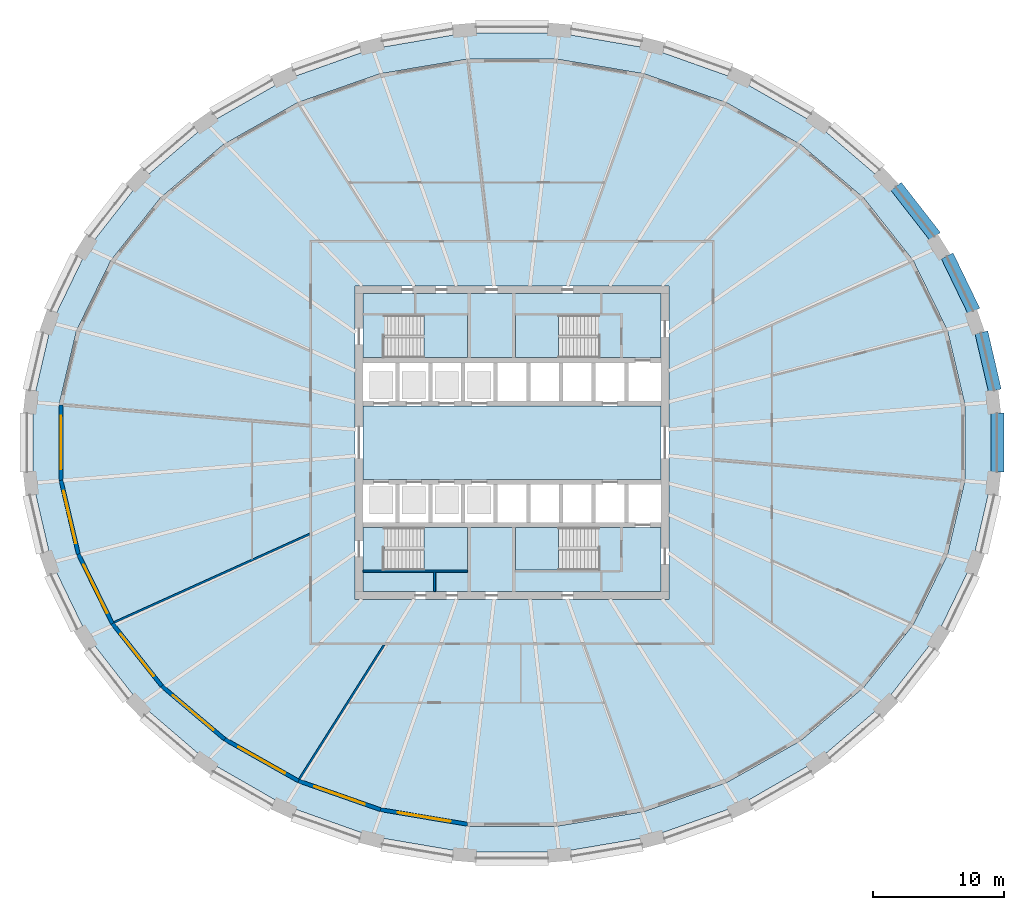
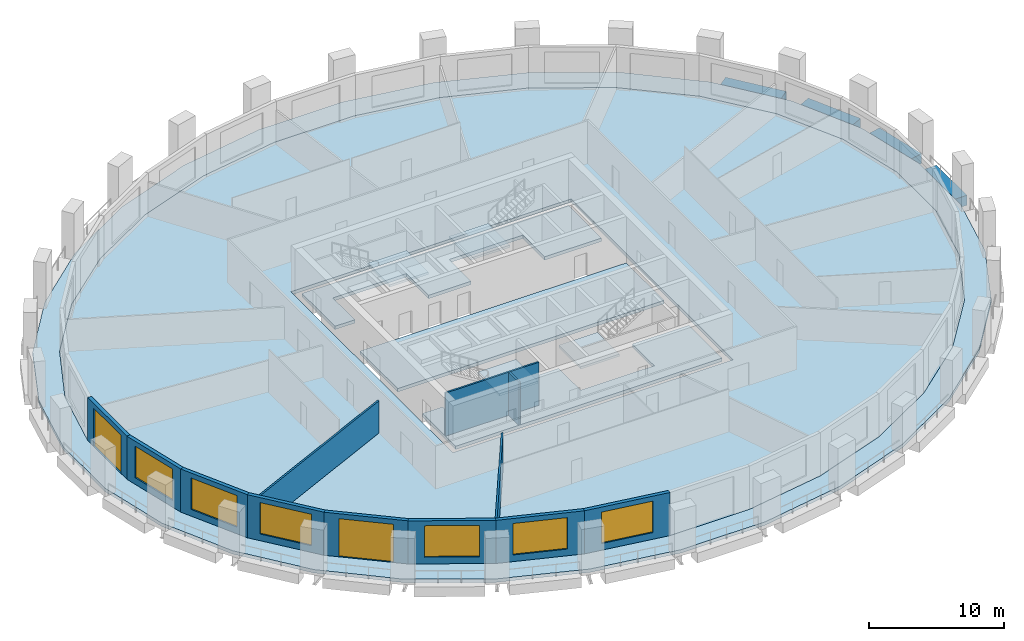
# One storey, part 2 of 10: 12 walls, 9 slabs, 6 windows, 4 beams, 2 doors, 8 openings, 4 elements without a shape of their own.
"""IFC4 building model written with IfcOpenShell, lengths in metres."""

import ifcopenshell
import ifcopenshell.guid

model = None  # the IFC model being written
_history = None  # IfcOwnerHistory: only IFC2X3 demands one
_inside = {}  # id of a spatial element -> (the spatial element, [elements in it])
_under = {}  # id of a project, library or spatial element -> (it, [spatial elements below it])
_declared = {}  # id of a project -> (the project, [libraries it declares])
_typed = {}  # id of a type object -> (the type object, [elements of that type])
_made_of = {}  # id of a material, layer set ... -> (it, [elements and type objects made of it])


def new_model(schema):
    """Start an empty IFC model of exactly this schema.

    Asked for "IFC4X3", IfcOpenShell would pick the latest addendum, in which some entities
    have other attributes; the version numbers below select the first issue.
    IFC2X3 requires an IfcOwnerHistory on every rooted entity: one is made here for all.
    """
    global model, _history
    if schema == "IFC4X3":
        model = ifcopenshell.file(schema_version=(4, 3, 0, 0))
    else:
        model = ifcopenshell.file(schema=schema)
    _inside.clear()
    _under.clear()
    _declared.clear()
    _typed.clear()
    _made_of.clear()
    _history = None
    if model.schema == "IFC2X3":
        org = make("IfcOrganization", Name="unknown")
        user = make(
            "IfcPersonAndOrganization",
            ThePerson=make("IfcPerson", FamilyName="unknown"),
            TheOrganization=org,
        )
        app = make(
            "IfcApplication",
            ApplicationDeveloper=org,
            Version="unknown",
            ApplicationFullName="unknown",
            ApplicationIdentifier="unknown",
        )
        _history = make(
            "IfcOwnerHistory",
            OwningUser=user,
            OwningApplication=app,
            ChangeAction="ADDED",
            CreationDate=0,
        )
    return model


def make(cls, **values):
    """One entity of the class cls with the attributes given. An attribute that is None is left unset."""
    return model.create_entity(
        cls, **{name: value for name, value in values.items() if value is not None}
    )


def rooted(cls, **values):
    """An entity with a GlobalId (a new one), such as an element, a storey or a relation."""
    return make(cls, GlobalId=ifcopenshell.guid.new(), OwnerHistory=_history, **values)


def si_unit(unit_type, name, prefix=None):
    """IfcSIUnit, for example si_unit("LENGTHUNIT", "METRE", prefix="MILLI")."""
    return make("IfcSIUnit", UnitType=unit_type, Prefix=prefix, Name=name)


def assignment(units):
    """IfcUnitAssignment: the units of a project."""
    return None if units is None else make("IfcUnitAssignment", Units=units)


def point(xyz):
    """IfcCartesianPoint."""
    return None if xyz is None else make("IfcCartesianPoint", Coordinates=xyz)


def direction(xyz):
    """IfcDirection."""
    return None if xyz is None else make("IfcDirection", DirectionRatios=xyz)


def frame(location, z_axis=None, x_axis=None):
    """IfcAxis2Placement3D, a coordinate frame: its origin and axes. An axis left out is left unset."""
    return make(
        "IfcAxis2Placement3D",
        Location=point(location),
        Axis=direction(z_axis),
        RefDirection=direction(x_axis),
    )


def frame_2d(location, x_axis=None):
    """IfcAxis2Placement2D, a coordinate frame in the plane: its origin and x axis."""
    return make(
        "IfcAxis2Placement2D", Location=point(location), RefDirection=direction(x_axis)
    )


def origin():
    """The frame at (0, 0, 0) with its axes left unset."""
    return frame((0.0, 0.0, 0.0))


def origin_2d():
    """The frame at (0, 0) in the plane with its x axis left unset."""
    return frame_2d((0.0, 0.0))


def place(relative_to, where):
    """IfcLocalPlacement: puts the frame where relative to a parent placement (None: the world)."""
    return make(
        "IfcLocalPlacement", PlacementRelTo=relative_to, RelativePlacement=where
    )


def context(
    kind, dimensions, precision=None, world=None, true_north=None, identifier=None
):
    """IfcGeometricRepresentationContext, for example the 3D "Model" context."""
    return make(
        "IfcGeometricRepresentationContext",
        ContextIdentifier=identifier,
        ContextType=kind,
        CoordinateSpaceDimension=dimensions,
        Precision=precision,
        WorldCoordinateSystem=world,
        TrueNorth=true_north,
    )


def subcontext(parent, identifier, kind, view, scale=None):
    """IfcGeometricRepresentationSubContext, for example "Body" below "Model"."""
    return make(
        "IfcGeometricRepresentationSubContext",
        ContextIdentifier=identifier,
        ContextType=kind,
        ParentContext=parent,
        TargetScale=scale,
        TargetView=view,
    )


def project(units=None, contexts=None):
    """IfcProject with its units and contexts."""
    return rooted(
        "IfcProject",
        Name="project",
        RepresentationContexts=contexts,
        UnitsInContext=assignment(units),
    )


def spatial(cls, under=None, at=None, **own):
    """A site, building, storey or space (cls), placed at a placement, below another one or the project."""
    s = rooted(cls, ObjectPlacement=at, **own)
    if under is not None:
        _under.setdefault(under.id(), (under, []))[1].append(s)
    return s


def polyline(points):
    """IfcPolyline through the points."""
    return make("IfcPolyline", Points=[point(p) for p in points])


def profile(cls, at=None, kind="AREA", **sizes):
    """A parametric profile (cls). Its sizes go by their IFC names, for example OverallWidth=200.0."""
    return make(cls, ProfileType=kind, Position=at, **sizes)


def rectangle(**sizes):
    """IfcRectangleProfileDef."""
    return profile("IfcRectangleProfileDef", **sizes)


def outline(outer, holes=None, kind="AREA"):
    """IfcArbitraryClosedProfileDef: a profile drawn as a closed curve; with holes, ...WithVoids."""
    if holes is None:
        return make("IfcArbitraryClosedProfileDef", ProfileType=kind, OuterCurve=outer)
    return make(
        "IfcArbitraryProfileDefWithVoids",
        ProfileType=kind,
        OuterCurve=outer,
        InnerCurves=holes,
    )


def extrude(swept, where, along, depth):
    """IfcExtrudedAreaSolid: the profile swept, set in the frame where, extruded along a direction by depth."""
    return make(
        "IfcExtrudedAreaSolid",
        SweptArea=swept,
        Position=where,
        ExtrudedDirection=direction(along),
        Depth=depth,
    )


def shape(context_of_items, identifier, shape_type, items):
    """IfcShapeRepresentation: the items that make up one representation, for example the "Body"."""
    return make(
        "IfcShapeRepresentation",
        ContextOfItems=context_of_items,
        RepresentationIdentifier=identifier,
        RepresentationType=shape_type,
        Items=items,
    )


def material(Name=None, Category=None):
    """IfcMaterial."""
    return make("IfcMaterial", Name=Name, Category=Category)


def layer(
    of_material, thickness, ventilated=None, Name=None, Category=None, Priority=None
):
    """IfcMaterialLayer: one layer of a wall or slab, of a material (None: an air gap)."""
    return make(
        "IfcMaterialLayer",
        Material=of_material,
        LayerThickness=thickness,
        IsVentilated=ventilated,
        Name=Name,
        Category=Category,
        Priority=Priority,
    )


def layer_set(layers, Name=None):
    """IfcMaterialLayerSet."""
    return make("IfcMaterialLayerSet", MaterialLayers=layers, LayerSetName=Name)


def material_profile(
    of_material, cross_section, Name=None, Category=None, Priority=None
):
    """IfcMaterialProfile: a cross section and its material."""
    return make(
        "IfcMaterialProfile",
        Name=Name,
        Material=of_material,
        Profile=cross_section,
        Priority=Priority,
        Category=Category,
    )


def profile_set(profiles, Name=None, composite=None):
    """IfcMaterialProfileSet."""
    return make(
        "IfcMaterialProfileSet",
        Name=Name,
        MaterialProfiles=profiles,
        CompositeProfile=composite,
    )


def made_of(thing, what):
    """Note that an element or type object is made of a material, layer set ...; save() writes the relation."""
    if what is not None:
        _made_of.setdefault(what.id(), (what, []))[1].append(thing)
    return thing


def type_object(cls, material=None, **own):
    """A type object (cls), such as IfcWallType, which elements share."""
    return made_of(rooted(cls, **own), material)


def element(
    cls,
    number,
    at=None,
    inside=None,
    cuts=None,
    type_object=None,
    material=None,
    context=None,
    identifier="Body",
    shape_type=None,
    held_by="IfcProductDefinitionShape",
    body=None,
    shapes=None,
    **own,
):
    """One element of the class cls, such as IfcWall. Its Tag is "e" and its number.

    at: its placement. inside: the storey or other place that contains it. cuts: it is an
    opening in that element (IfcRelVoidsElement). A single representation is given by context,
    identifier, shape_type and body (its items); several are given by shapes. held_by: the class
    of the entity that holds the representations. save() writes the other relations.
    """
    e = rooted(cls, Tag="e%d" % number, ObjectPlacement=at, **own)
    if body is not None:
        shapes = [shape(context, identifier, shape_type, body)]
    if shapes is not None:
        e.Representation = make(held_by, Representations=shapes)
    if inside is not None:
        _inside.setdefault(inside.id(), (inside, []))[1].append(e)
    if cuts is not None:
        rooted(
            "IfcRelVoidsElement", RelatingBuildingElement=cuts, RelatedOpeningElement=e
        )
    if type_object is not None:
        _typed.setdefault(type_object.id(), (type_object, []))[1].append(e)
    return made_of(e, material)


def fill(opening, filler):
    """IfcRelFillsElement: the door or window that sits in an opening."""
    return rooted(
        "IfcRelFillsElement",
        RelatingOpeningElement=opening,
        RelatedBuildingElement=filler,
    )


def aggregate(whole, parts):
    """IfcRelAggregates: a whole, such as a stair, and the parts it consists of."""
    return rooted("IfcRelAggregates", RelatingObject=whole, RelatedObjects=parts)


def save(model, path):
    """Write the relations noted so far, then the file.

    IfcRelAggregates (storeys below a building ...), IfcRelContainedInSpatialStructure (elements
    in a storey), IfcRelDefinesByType, IfcRelAssociatesMaterial and IfcRelDeclares: one each for
    every whole, place, type object, material and project.
    """
    for whole, parts in _under.values():
        aggregate(whole, parts)
    for where, things in _inside.values():
        rooted(
            "IfcRelContainedInSpatialStructure",
            RelatedElements=things,
            RelatingStructure=where,
        )
    for kind, things in _typed.values():
        rooted("IfcRelDefinesByType", RelatedObjects=things, RelatingType=kind)
    for what, things in _made_of.values():
        rooted("IfcRelAssociatesMaterial", RelatedObjects=things, RelatingMaterial=what)
    for by, libraries in _declared.values():
        rooted("IfcRelDeclares", RelatingContext=by, RelatedDefinitions=libraries)
    model.write(path)


model = new_model("IFC4")

# Units and contexts
model_context = context("Model", 3, precision=1e-05, world=origin(), true_north=direction((0.0, 1.0)))
body_context = subcontext(model_context, "Body", "Model", "MODEL_VIEW")
ifc_project = project(units=[si_unit("LENGTHUNIT", "METRE"), si_unit("AREAUNIT", "SQUARE_METRE"), si_unit("VOLUMEUNIT", "CUBIC_METRE"), si_unit("PLANEANGLEUNIT", "RADIAN"), si_unit("MASSUNIT", "GRAM", prefix="KILO")], contexts=[model_context])

# Site, building, storey
site_placement = place(None, origin())
site = spatial("IfcSite", under=ifc_project, at=site_placement, CompositionType="ELEMENT")
building_placement = place(site_placement, origin())
building = spatial("IfcBuilding", under=site, at=building_placement, Name="Halqa Exchange Tower", CompositionType="ELEMENT")
storey_placement = place(building_placement, frame((0.0, 0.0, 57.10009765625)))
storey = spatial("IfcBuildingStorey", under=building, at=storey_placement, Name="L12", CompositionType="ELEMENT", Elevation=57.10009765625)

# Beams
ifc_material_1 = material(Name="Concrete C60/75", Category="concrete")
ifc_material_profile = material_profile(ifc_material_1, rectangle(XDim=1.0, YDim=0.89990234375, at=origin_2d()), Name="1000 x 900")
ifc_profile_set = profile_set([ifc_material_profile], Name="Concrete C60/75")
beam_type = type_object("IfcBeamType", Name="RC spandrel beam 1000 x 900 C60/75", PredefinedType="SPANDREL", material=ifc_profile_set)
beam_1_placement = place(storey_placement, frame((36.9375, 3.99072265625, -0.4501953125), z_axis=(-0.226037111301, 0.974118691082, 0.0), x_axis=(-0.974118691082, -0.226037111301, 0.0)))
element("IfcBeam", 1, at=beam_1_placement, inside=storey, type_object=beam_type, Name="Spandrel 1", PredefinedType="SPANDREL", context=body_context, shape_type="SweptSolid", body=[
    extrude(rectangle(XDim=1.0, YDim=0.89990234375, at=origin_2d()), origin(), (0.0, 0.0, 1.0), 4.556884765625),
])
beam_2_placement = place(storey_placement, frame((35.327392578125, 10.074462890625, -0.4501953125), z_axis=(-0.43512988636, 0.900367692666, 0.0), x_axis=(-0.900367692666, -0.43512988636, 0.0)))
element("IfcBeam", 2, at=beam_2_placement, inside=storey, type_object=beam_type, Name="Spandrel 2", PredefinedType="SPANDREL", context=body_context, shape_type="SweptSolid", body=[
    extrude(rectangle(XDim=1.0, YDim=0.89990234375, at=origin_2d()), origin(), (0.0, 0.0, 1.0), 4.6787109375),
])
beam_3_placement = place(storey_placement, frame((32.37060546875, 15.76904296875, -0.4501953125), z_axis=(-0.614803063133, 0.788680666406, 0.0), x_axis=(-0.788680666406, -0.614803063133, 0.0)))
element("IfcBeam", 3, at=beam_3_placement, inside=storey, type_object=beam_type, Name="Spandrel 3", PredefinedType="SPANDREL", context=body_context, shape_type="SweptSolid", body=[
    extrude(rectangle(XDim=1.0, YDim=0.89990234375, at=origin_2d()), origin(), (0.0, 0.0, 1.0), 4.858154296875),
])
beam_4_placement = place(storey_placement, frame((37.135986328125, -2.25634765625, -0.4501953125), z_axis=(0.0, 1.0, 0.0), x_axis=(-1.0, 0.0, 0.0)))
element("IfcBeam", 4, at=beam_4_placement, inside=storey, type_object=beam_type, Name="Spandrel 32", PredefinedType="SPANDREL", context=body_context, shape_type="SweptSolid", body=[
    extrude(rectangle(XDim=1.0, YDim=0.89990234375, at=origin_2d()), origin(), (0.0, 0.0, 1.0), 4.5126953125),
])

# Slabs
ifc_layer_1 = layer(ifc_material_1, 0.300048828125)
ifc_layer_set_1 = layer_set([ifc_layer_1], Name="Concrete C60/75")
slab_type_1 = type_object("IfcSlabType", Name="Core floor slab 300", PredefinedType="FLOOR", material=ifc_layer_set_1)
slab_1_placement = place(storey_placement, frame((0.0, 0.0, -0.300048828125)))
element("IfcSlab", 5, at=slab_1_placement, inside=storey, type_object=slab_type_1, Name="Core floor slab", PredefinedType="FLOOR", context=body_context, shape_type="SweptSolid", body=[
    extrude(outline(polyline([(-11.39990234375, 2.800048828125), (11.39990234375, 2.800048828125), (11.39990234375, -2.800048828125), (-11.39990234375, -2.800048828125), (-11.39990234375, 2.800048828125)])), origin(), (0.0, 0.0, 1.0), 0.300048828125),
])
slab_2_placement = place(storey_placement, frame((0.0, 0.0, -0.300048828125)))
element("IfcSlab", 6, at=slab_2_placement, inside=storey, type_object=slab_type_1, Name="Core floor slab", PredefinedType="FLOOR", context=body_context, shape_type="SweptSolid", body=[
    extrude(outline(polyline([(-11.39990234375, 11.39990234375), (11.39990234375, 11.39990234375), (11.39990234375, 6.5), (6.550048828125, 6.5), (6.550048828125, 9.75), (0.25, 9.75), (0.25, 6.5), (-3.39990234375, 6.5), (-3.39990234375, 9.75), (-9.699951171875, 9.75), (-9.699951171875, 6.5), (-11.39990234375, 6.5), (-11.39990234375, 11.39990234375)])), origin(), (0.0, 0.0, 1.0), 0.300048828125),
])
slab_3_placement = place(storey_placement, frame((0.0, 0.0, -0.300048828125)))
element("IfcSlab", 7, at=slab_3_placement, inside=storey, type_object=slab_type_1, Name="Core floor slab", PredefinedType="FLOOR", context=body_context, shape_type="SweptSolid", body=[
    extrude(outline(polyline([(-9.699951171875, -9.75), (-3.39990234375, -9.75), (-3.39990234375, -6.5), (0.25, -6.5), (0.25, -9.75), (6.550048828125, -9.75), (6.550048828125, -6.5), (11.39990234375, -6.5), (11.39990234375, -11.39990234375), (-11.39990234375, -11.39990234375), (-11.39990234375, -6.5), (-9.699951171875, -6.5), (-9.699951171875, -9.75)])), origin(), (0.0, 0.0, 1.0), 0.300048828125),
])
ifc_material_2 = material(Name="Concrete C40/50", Category="concrete")
ifc_layer_2 = layer(ifc_material_2, 0.300048828125)
ifc_layer_set_2 = layer_set([ifc_layer_2], Name="Concrete C40/50")
slab_type_2 = type_object("IfcSlabType", Name="RC floor slab 300", PredefinedType="FLOOR", material=ifc_layer_set_2)
slab_4_placement = place(storey_placement, frame((0.0, 0.0, -0.300048828125)))
element("IfcSlab", 8, at=slab_4_placement, inside=storey, type_object=slab_type_2, Name="Floor slab", PredefinedType="FLOOR", context=body_context, shape_type="SweptSolid", body=[
    extrude(outline(polyline([(34.649658203125, 2.8955078125), (33.31396484375, 8.573486328125), (30.695556640625, 13.91845703125), (26.897705078125, 18.724365234375), (22.068603515625, 22.8076171875), (16.39501953125, 26.01318359375), (10.094482421875, 28.219970703125), (3.408203125, 29.344482421875), (-3.408203125, 29.344482421875), (-10.094482421875, 28.219970703125), (-16.39501953125, 26.01318359375), (-22.068603515625, 22.8076171875), (-26.897705078125, 18.724365234375), (-30.695556640625, 13.91845703125), (-33.31396484375, 8.573486328125), (-34.649658203125, 2.8955078125), (-34.649658203125, -2.8955078125), (-33.31396484375, -8.573486328125), (-30.695556640625, -13.91845703125), (-26.897705078125, -18.724365234375), (-22.068603515625, -22.8076171875), (-16.39501953125, -26.01318359375), (-10.094482421875, -28.219970703125), (-3.408203125, -29.344482421875), (3.408203125, -29.344482421875), (10.094482421875, -28.219970703125), (16.39501953125, -26.01318359375), (22.068603515625, -22.8076171875), (26.897705078125, -18.724365234375), (30.695556640625, -13.91845703125), (33.31396484375, -8.573486328125), (34.649658203125, -2.8955078125), (34.649658203125, 2.8955078125)]), holes=[polyline([(-12.0, -12.0), (12.0, -12.0), (12.0, 12.0), (-12.0, 12.0), (-12.0, -12.0)])]), origin(), (0.0, 0.0, 1.0), 0.300048828125),
])
ifc_layer_3 = layer(ifc_material_2, 0.300048828125)
ifc_layer_set_3 = layer_set([ifc_layer_3], Name="Concrete C40/50")
slab_type_3 = type_object("IfcSlabType", Name="RC loggia slab 300", PredefinedType="FLOOR", material=ifc_layer_set_3)
slab_5_placement = place(storey_placement, frame((0.0, 0.0, -0.300048828125)))
element("IfcSlab", 9, at=slab_5_placement, inside=storey, type_object=slab_type_3, Name="Loggia slab", PredefinedType="FLOOR", context=body_context, shape_type="SweptSolid", body=[
    extrude(outline(polyline([(36.635986328125, 3.077880859375), (36.635986328125, -3.077880859375), (35.234619140625, -9.117431640625), (32.482666015625, -14.812255859375), (28.48193359375, -19.944091796875), (23.38330078125, -24.314208984375), (17.380859375, -27.752197265625), (10.70556640625, -30.1220703125), (3.615234375, -31.3310546875), (-3.615234375, -31.3310546875), (-10.70556640625, -30.1220703125), (-17.380859375, -27.752197265625), (-23.38330078125, -24.314208984375), (-28.48193359375, -19.944091796875), (-32.482666015625, -14.812255859375), (-35.234619140625, -9.117431640625), (-36.635986328125, -3.077880859375), (-36.635986328125, 3.077880859375), (-35.234619140625, 9.117431640625), (-32.482666015625, 14.812255859375), (-28.48193359375, 19.944091796875), (-23.38330078125, 24.314208984375), (-17.380859375, 27.752197265625), (-10.70556640625, 30.1220703125), (-3.615234375, 31.3310546875), (3.615234375, 31.3310546875), (10.70556640625, 30.1220703125), (17.380859375, 27.752197265625), (23.38330078125, 24.314208984375), (28.48193359375, 19.944091796875), (32.482666015625, 14.812255859375), (35.234619140625, 9.117431640625), (36.635986328125, 3.077880859375)]), holes=[polyline([(34.649658203125, 2.8955078125), (33.31396484375, 8.573486328125), (30.695556640625, 13.91845703125), (26.897705078125, 18.724365234375), (22.068603515625, 22.8076171875), (16.39501953125, 26.01318359375), (10.094482421875, 28.219970703125), (3.408203125, 29.344482421875), (-3.408203125, 29.344482421875), (-10.094482421875, 28.219970703125), (-16.39501953125, 26.01318359375), (-22.068603515625, 22.8076171875), (-26.897705078125, 18.724365234375), (-30.695556640625, 13.91845703125), (-33.31396484375, 8.573486328125), (-34.649658203125, 2.8955078125), (-34.649658203125, -2.8955078125), (-33.31396484375, -8.573486328125), (-30.695556640625, -13.91845703125), (-26.897705078125, -18.724365234375), (-22.068603515625, -22.8076171875), (-16.39501953125, -26.01318359375), (-10.094482421875, -28.219970703125), (-3.408203125, -29.344482421875), (3.408203125, -29.344482421875), (10.094482421875, -28.219970703125), (16.39501953125, -26.01318359375), (22.068603515625, -22.8076171875), (26.897705078125, -18.724365234375), (30.695556640625, -13.91845703125), (33.31396484375, -8.573486328125), (34.649658203125, -2.8955078125), (34.649658203125, 2.8955078125)])]), origin(), (0.0, 0.0, 1.0), 0.300048828125),
])

# Stair, slab
ifc_material_3 = material(Name="Concrete C30/37", Category="concrete")
stair_type = type_object("IfcStairType", Name="Exit stair 1500 wide", PredefinedType="HALF_TURN_STAIR", material=ifc_material_3)
stair_1_placement = place(storey_placement, origin())
stair_1 = element("IfcStair", 10, at=stair_1_placement, inside=storey, type_object=stair_type, Name="Exit stair ST1", PredefinedType="HALF_TURN_STAIR")
ifc_layer_4 = layer(ifc_material_3, 0.199951171875)
ifc_layer_set_4 = layer_set([ifc_layer_4], Name="Concrete C30/37")
slab_type_4 = type_object("IfcSlabType", Name="Stair landing 200 slab", PredefinedType="LANDING", material=ifc_layer_set_4)
slab_6_placement = place(storey_placement, frame((0.0, 0.0, 1.89990234375)))
slab_6 = element("IfcSlab", 11, at=slab_6_placement, type_object=slab_type_4, Name="ST1 landing 1", PredefinedType="LANDING", context=body_context, shape_type="SweptSolid", body=[
    extrude(outline(polyline([(-6.719970703125, 6.5), (-3.39990234375, 6.5), (-3.39990234375, 9.75), (-6.719970703125, 9.75), (-6.719970703125, 6.5)])), origin(), (0.0, 0.0, 1.0), 0.199951171875),
])
aggregate(stair_1, [slab_6])

stair_2_placement = place(storey_placement, origin())
stair_2 = element("IfcStair", 12, at=stair_2_placement, inside=storey, type_object=stair_type, Name="Exit stair ST2", PredefinedType="HALF_TURN_STAIR")
slab_7_placement = place(storey_placement, frame((0.0, 0.0, 1.89990234375)))
slab_7 = element("IfcSlab", 13, at=slab_7_placement, type_object=slab_type_4, Name="ST2 landing 1", PredefinedType="LANDING", context=body_context, shape_type="SweptSolid", body=[
    extrude(outline(polyline([(0.25, 6.5), (3.570068359375, 6.5), (3.570068359375, 9.75), (0.25, 9.75), (0.25, 6.5)])), origin(), (0.0, 0.0, 1.0), 0.199951171875),
])
aggregate(stair_2, [slab_7])

stair_3_placement = place(storey_placement, origin())
stair_3 = element("IfcStair", 14, at=stair_3_placement, inside=storey, type_object=stair_type, Name="Exit stair ST3", PredefinedType="HALF_TURN_STAIR")
slab_8_placement = place(storey_placement, frame((0.0, 0.0, 1.89990234375)))
slab_8 = element("IfcSlab", 15, at=slab_8_placement, type_object=slab_type_4, Name="ST3 landing 1", PredefinedType="LANDING", context=body_context, shape_type="SweptSolid", body=[
    extrude(outline(polyline([(-6.719970703125, -9.75), (-3.39990234375, -9.75), (-3.39990234375, -6.5), (-6.719970703125, -6.5), (-6.719970703125, -9.75)])), origin(), (0.0, 0.0, 1.0), 0.199951171875),
])
aggregate(stair_3, [slab_8])

stair_4_placement = place(storey_placement, origin())
stair_4 = element("IfcStair", 16, at=stair_4_placement, inside=storey, type_object=stair_type, Name="Exit stair ST4", PredefinedType="HALF_TURN_STAIR")
slab_9_placement = place(storey_placement, frame((0.0, 0.0, 1.89990234375)))
slab_9 = element("IfcSlab", 17, at=slab_9_placement, type_object=slab_type_4, Name="ST4 landing 1", PredefinedType="LANDING", context=body_context, shape_type="SweptSolid", body=[
    extrude(outline(polyline([(0.25, -9.75), (3.570068359375, -9.75), (3.570068359375, -6.5), (0.25, -6.5), (0.25, -9.75)])), origin(), (0.0, 0.0, 1.0), 0.199951171875),
])
aggregate(stair_4, [slab_9])

# Walls
ifc_material_4 = material(Name="Fire-rated gypsum board")
ifc_layer_5 = layer(ifc_material_4, 0.14990234375)
ifc_layer_set_5 = layer_set([ifc_layer_5], Name="Fire-rated gypsum board")
wall_type_1 = type_object("IfcWallType", Name="Fire partition EI 60 150", PredefinedType="PARTITIONING", material=ifc_layer_set_5)
wall_1_placement = place(storey_placement, frame((-30.443603515625, -13.755126953125, 0.0), z_axis=(0.0, 0.0, 1.0), x_axis=(0.911343853748, 0.411645940385, 0.0)))
element("IfcWall", 18, at=wall_1_placement, inside=storey, type_object=wall_type_1, Name="L12-PWL-002", PredefinedType="PARTITIONING", context=body_context, shape_type="SweptSolid", body=[
    extrude(outline(polyline([(0.019775390625, -0.074951171875), (1.8388671875, -0.074951171875), (3.65771484375, -0.074951171875), (5.476806640625, -0.074951171875), (7.2958984375, -0.074951171875), (9.11474609375, -0.074951171875), (10.933837890625, -0.074951171875), (12.7529296875, -0.074951171875), (14.57177734375, -0.074951171875), (16.390869140625, -0.074951171875), (16.442138671875, 0.038330078125), (16.442138671875, 0.038330078125), (16.45849609375, 0.074951171875), (14.8583984375, 0.074951171875), (13.25830078125, 0.074951171875), (11.657958984375, 0.074951171875), (11.6572265625, 0.072998046875), (11.65283203125, 0.074951171875), (9.710693359375, 0.074951171875), (7.7685546875, 0.074951171875), (5.826416015625, 0.074951171875), (3.88427734375, 0.074951171875), (1.942138671875, 0.074951171875), (0.0, 0.074951171875), (0.0, 0.06201171875), (0.001953125, -0.003662109375), (0.019775390625, -0.074951171875)])), origin(), (0.0, 0.0, 1.0), 2.909912109375),
])
wall_2_placement = place(storey_placement, frame((-16.27294921875, -25.74169921875, 0.0), z_axis=(0.0, 0.0, 1.0), x_axis=(0.534654841392, 0.845070529942, 0.0)))
element("IfcWall", 19, at=wall_2_placement, inside=storey, type_object=wall_type_1, Name="L12-PWL-004", PredefinedType="PARTITIONING", context=body_context, shape_type="SweptSolid", body=[
    extrude(outline(polyline([(0.020751953125, -0.074951171875), (1.768798828125, -0.074951171875), (3.516845703125, -0.074951171875), (5.26513671875, -0.074951171875), (7.01318359375, -0.074951171875), (7.017578125, -0.072265625), (7.019287109375, -0.074951171875), (8.744873046875, -0.074951171875), (10.470703125, -0.074951171875), (12.1962890625, -0.074951171875), (12.1962890625, -0.074951171875), (12.1015625, 0.074951171875), (10.372802734375, 0.074951171875), (8.64404296875, 0.074951171875), (6.9150390625, 0.074951171875), (5.186279296875, 0.074951171875), (3.45751953125, 0.074951171875), (1.728759765625, 0.074951171875), (0.0, 0.074951171875), (0.0, 0.071044921875), (0.003662109375, -0.00048828125), (0.020751953125, -0.074951171875)])), origin(), (0.0, 0.0, 1.0), 3.1298828125),
])
ifc_material_5 = material(Name="Gypsum board")
ifc_layer_6 = layer(ifc_material_5, 0.14990234375)
ifc_layer_set_6 = layer_set([ifc_layer_6], Name="Gypsum board")
wall_type_2 = type_object("IfcWallType", Name="Penthouse riser wall 150 gypsum", PredefinedType="PARTITIONING", material=ifc_layer_set_6)
wall_3_placement = place(storey_placement, frame((-5.925048828125, -11.39990234375, 0.0), z_axis=(0.0, 0.0, 1.0), x_axis=(0.0, 1.0, 0.0)))
element("IfcWall", 20, at=wall_3_placement, inside=storey, type_object=wall_type_2, Name="Partition W5.925 S", PredefinedType="PARTITIONING", context=body_context, shape_type="SweptSolid", body=[
    extrude(rectangle(XDim=1.5, YDim=0.14990234375, at=frame_2d((0.75, 0.0))), origin(), (0.0, 0.0, 1.0), 3.89990234375),
])
ifc_layer_7 = layer(ifc_material_3, 0.14990234375)
ifc_layer_set_7 = layer_set([ifc_layer_7], Name="Concrete C30/37")
wall_type_3 = type_object("IfcWallType", Name="RC stair wall 150 C30/37", PredefinedType="SHEAR", material=ifc_layer_set_7)
wall_4_placement = place(storey_placement, frame((-11.39990234375, -9.824951171875, 0.0), z_axis=(0.0, 0.0, 1.0), x_axis=(1.0, 0.0, 0.0)))
element("IfcWall", 21, at=wall_4_placement, inside=storey, type_object=wall_type_3, Name="Stair ST1 north wall S", PredefinedType="SHEAR", context=body_context, shape_type="SweptSolid", body=[
    extrude(rectangle(XDim=8.0, YDim=0.14990234375, at=frame_2d((4.0, 0.0))), origin(), (0.0, 0.0, 1.0), 3.89990234375),
])

# Wall, opening, door
ifc_material_6 = material(Name="Limestone cladding", Category="masonry")
ifc_layer_8 = layer(ifc_material_6, 0.0400390625)
ifc_material_7 = material(Name="Ventilated cavity")
ifc_layer_9 = layer(ifc_material_7, 0.030029296875, ventilated=True)
ifc_material_8 = material(Name="Mineral wool insulation")
ifc_layer_10 = layer(ifc_material_8, 0.10009765625)
ifc_layer_11 = layer(ifc_material_3, 0.10009765625)
ifc_material_9 = material(Name="Internal plaster")
ifc_layer_12 = layer(ifc_material_9, 0.030029296875)
ifc_layer_set_8 = layer_set([ifc_layer_8, ifc_layer_9, ifc_layer_10, ifc_layer_11, ifc_layer_12], Name="Stone-faced insulated wall 300")
wall_type_4 = type_object("IfcWallType", Name="Stone-faced insulated wall 300", PredefinedType="STANDARD", material=ifc_layer_set_8)
wall_5_placement = place(storey_placement, frame((-34.49951171875, 2.8779296875, 0.0), z_axis=(0.0, 0.0, 1.0), x_axis=(0.0, -1.0, 0.0)))
wall_5 = element("IfcWall", 22, at=wall_5_placement, inside=storey, type_object=wall_type_4, Name="Glass-line wall 16", PredefinedType="STANDARD", context=body_context, shape_type="SweptSolid", body=[
    extrude(outline(polyline([(-0.017333984375, -0.14990234375), (5.773193359375, -0.14990234375), (5.738525390625, 0.14990234375), (0.017333984375, 0.14990234375), (-0.017333984375, -0.14990234375)])), origin(), (0.0, 0.0, 1.0), 3.89990234375),
])
opening_1_placement = place(wall_5_placement, frame((0.827880859375, 0.0, 0.0)))
opening_1 = element("IfcOpeningElement", 23, at=opening_1_placement, cuts=wall_5, Name="Opening LG-F1-04", PredefinedType="OPENING", context=body_context, shape_type="SweptSolid", body=[
    extrude(rectangle(XDim=4.10009765625, YDim=3.449951171875, at=frame_2d((2.050048828125, 1.72509765625))), frame((0.0, 0.162109375, 0.0), z_axis=(0.0, -1.0, 0.0), x_axis=(1.0, 0.0, 0.0)), (0.0, 0.0, 1.0), 0.323974609375),
])
ifc_material_10 = material(Name="Clear low-emissivity glass in aluminium frame", Category="aluminium")
door_type = type_object("IfcDoorType", Name="Glazed sliding loggia door 4100 x 3450", OperationType="DOUBLE_DOOR_SLIDING", PredefinedType="DOOR", material=ifc_material_10)
door_1_placement = place(opening_1_placement, origin())
door_1 = element("IfcDoor", 24, at=door_1_placement, inside=storey, type_object=door_type, Name="Loggia door 4", OperationType="DOUBLE_DOOR_SLIDING", OverallHeight=3.449951171875, OverallWidth=4.10009765625, PredefinedType="DOOR", context=body_context, shape_type="SweptSolid", body=[
    extrude(rectangle(XDim=4.10009765625, YDim=3.449951171875, at=frame_2d((2.050048828125, 1.72509765625))), frame((0.0, 0.02490234375, 0.0), z_axis=(0.0, -1.0, 0.0), x_axis=(1.0, 0.0, 0.0)), (0.0, 0.0, 1.0), 0.050048828125),
])
fill(opening_1, door_1)

# Wall, opening, window
wall_6_placement = place(storey_placement, frame((-34.49951171875, -2.8779296875, 0.0), z_axis=(0.0, 0.0, 1.0), x_axis=(0.228990053972, -0.973428762253, 0.0)))
wall_6 = element("IfcWall", 25, at=wall_6_placement, inside=storey, type_object=wall_type_4, Name="Glass-line wall 17", PredefinedType="STANDARD", context=body_context, shape_type="SweptSolid", body=[
    extrude(outline(polyline([(-0.017333984375, -0.14990234375), (5.815673828125, -0.14990234375), (5.781982421875, 0.14990234375), (0.017333984375, 0.14990234375), (-0.017333984375, -0.14990234375)])), origin(), (0.0, 0.0, 1.0), 3.89990234375),
])
opening_2_placement = place(wall_6_placement, frame((0.849365234375, 0.0, 0.60009765625)))
opening_2 = element("IfcOpeningElement", 26, at=opening_2_placement, cuts=wall_6, Name="Opening W-F1-17", PredefinedType="OPENING", context=body_context, shape_type="SweptSolid", body=[
    extrude(rectangle(XDim=4.10009765625, YDim=2.85009765625, at=frame_2d((2.050048828125, 1.425048828125))), frame((0.0, 0.162109375, 0.0), z_axis=(0.0, -1.0, 0.0), x_axis=(1.0, 0.0, 0.0)), (0.0, 0.0, 1.0), 0.323974609375),
])
window_type = type_object("IfcWindowType", Name="Fixed clear glazed window 4100 x 2850", PartitioningType="TRIPLE_PANEL_VERTICAL", PredefinedType="WINDOW", material=ifc_material_10)
window_1_placement = place(opening_2_placement, origin())
window_1 = element("IfcWindow", 27, at=window_1_placement, inside=storey, type_object=window_type, Name="Window 1", OverallHeight=2.85009765625, OverallWidth=4.10009765625, PartitioningType="TRIPLE_PANEL_VERTICAL", PredefinedType="WINDOW", context=body_context, shape_type="SweptSolid", body=[
    extrude(rectangle(XDim=4.10009765625, YDim=2.85009765625, at=frame_2d((2.050048828125, 1.425048828125))), frame((0.0, 0.030029296875, 0.0), z_axis=(0.0, -1.0, 0.0), x_axis=(1.0, 0.0, 0.0)), (0.0, 0.0, 1.0), 0.06005859375),
])
fill(opening_2, window_1)

wall_7_placement = place(storey_placement, frame((-33.171630859375, -8.522705078125, 0.0), z_axis=(0.0, 0.0, 1.0), x_axis=(0.439906146647, -0.898043752911, 0.0)))
wall_7 = element("IfcWall", 28, at=wall_7_placement, inside=storey, type_object=wall_type_4, Name="Glass-line wall 18", PredefinedType="STANDARD", context=body_context, shape_type="SweptSolid", body=[
    extrude(outline(polyline([(-0.016845703125, -0.14990234375), (5.93505859375, -0.14990234375), (5.90283203125, 0.14990234375), (0.016845703125, 0.14990234375), (-0.016845703125, -0.14990234375)])), origin(), (0.0, 0.0, 1.0), 3.89990234375),
])
opening_3_placement = place(wall_7_placement, frame((0.909423828125, 0.0, 0.60009765625)))
opening_3 = element("IfcOpeningElement", 29, at=opening_3_placement, cuts=wall_7, Name="Opening W-F1-18", PredefinedType="OPENING", context=body_context, shape_type="SweptSolid", body=[
    extrude(rectangle(XDim=4.10009765625, YDim=2.85009765625, at=frame_2d((2.050048828125, 1.425048828125))), frame((0.0, 0.162109375, 0.0), z_axis=(0.0, -1.0, 0.0), x_axis=(1.0, 0.0, 0.0)), (0.0, 0.0, 1.0), 0.323974609375),
])
window_2_placement = place(opening_3_placement, origin())
window_2 = element("IfcWindow", 30, at=window_2_placement, inside=storey, type_object=window_type, Name="Window 1", OverallHeight=2.85009765625, OverallWidth=4.10009765625, PartitioningType="TRIPLE_PANEL_VERTICAL", PredefinedType="WINDOW", context=body_context, shape_type="SweptSolid", body=[
    extrude(rectangle(XDim=4.10009765625, YDim=2.85009765625, at=frame_2d((2.050048828125, 1.425048828125))), frame((0.0, 0.030029296875, 0.0), z_axis=(0.0, -1.0, 0.0), x_axis=(1.0, 0.0, 0.0)), (0.0, 0.0, 1.0), 0.06005859375),
])
fill(opening_3, window_2)

wall_8_placement = place(storey_placement, frame((-30.56787109375, -13.838134765625, 0.0), z_axis=(0.0, 0.0, 1.0), x_axis=(0.619993638342, -0.78460683684, 0.0)))
wall_8 = element("IfcWall", 31, at=wall_8_placement, inside=storey, type_object=wall_type_4, Name="Glass-line wall 19", PredefinedType="STANDARD", context=body_context, shape_type="SweptSolid", body=[
    extrude(outline(polyline([(-0.01611328125, -0.14990234375), (6.109375, -0.14990234375), (6.0791015625, 0.14990234375), (0.01611328125, 0.14990234375), (-0.01611328125, -0.14990234375)])), origin(), (0.0, 0.0, 1.0), 3.89990234375),
])
opening_4_placement = place(wall_8_placement, frame((0.9970703125, 0.0, 0.60009765625)))
opening_4 = element("IfcOpeningElement", 32, at=opening_4_placement, cuts=wall_8, Name="Opening W-F1-19", PredefinedType="OPENING", context=body_context, shape_type="SweptSolid", body=[
    extrude(rectangle(XDim=4.10009765625, YDim=2.85009765625, at=frame_2d((2.050048828125, 1.425048828125))), frame((0.0, 0.162109375, 0.0), z_axis=(0.0, -1.0, 0.0), x_axis=(1.0, 0.0, 0.0)), (0.0, 0.0, 1.0), 0.323974609375),
])
window_3_placement = place(opening_4_placement, origin())
window_3 = element("IfcWindow", 33, at=window_3_placement, inside=storey, type_object=window_type, Name="Window 1", OverallHeight=2.85009765625, OverallWidth=4.10009765625, PartitioningType="TRIPLE_PANEL_VERTICAL", PredefinedType="WINDOW", context=body_context, shape_type="SweptSolid", body=[
    extrude(rectangle(XDim=4.10009765625, YDim=2.85009765625, at=frame_2d((2.050048828125, 1.425048828125))), frame((0.0, 0.030029296875, 0.0), z_axis=(0.0, -1.0, 0.0), x_axis=(1.0, 0.0, 0.0)), (0.0, 0.0, 1.0), 0.06005859375),
])
fill(opening_4, window_3)

# Wall, opening, door
wall_9_placement = place(storey_placement, frame((-26.78955078125, -18.61962890625, 0.0), z_axis=(0.0, 0.0, 1.0), x_axis=(0.763614259808, -0.645672720671, 0.0)))
wall_9 = element("IfcWall", 34, at=wall_9_placement, inside=storey, type_object=wall_type_4, Name="Glass-line wall 20", PredefinedType="STANDARD", context=body_context, shape_type="SweptSolid", body=[
    extrude(outline(polyline([(-0.01513671875, -0.14990234375), (6.30908203125, -0.14990234375), (6.28076171875, 0.14990234375), (0.01513671875, 0.14990234375), (-0.01513671875, -0.14990234375)])), origin(), (0.0, 0.0, 1.0), 3.89990234375),
])
opening_5_placement = place(wall_9_placement, frame((1.097412109375, 0.0, 0.0)))
opening_5 = element("IfcOpeningElement", 35, at=opening_5_placement, cuts=wall_9, Name="Opening LG-F1-05", PredefinedType="OPENING", context=body_context, shape_type="SweptSolid", body=[
    extrude(rectangle(XDim=4.10009765625, YDim=3.449951171875, at=frame_2d((2.050048828125, 1.72509765625))), frame((0.0, 0.162109375, 0.0), z_axis=(0.0, -1.0, 0.0), x_axis=(1.0, 0.0, 0.0)), (0.0, 0.0, 1.0), 0.323974609375),
])
door_2_placement = place(opening_5_placement, origin())
door_2 = element("IfcDoor", 36, at=door_2_placement, inside=storey, type_object=door_type, Name="Loggia door 5", OperationType="DOUBLE_DOOR_SLIDING", OverallHeight=3.449951171875, OverallWidth=4.10009765625, PredefinedType="DOOR", context=body_context, shape_type="SweptSolid", body=[
    extrude(rectangle(XDim=4.10009765625, YDim=3.449951171875, at=frame_2d((2.050048828125, 1.72509765625))), frame((0.0, 0.02490234375, 0.0), z_axis=(0.0, -1.0, 0.0), x_axis=(1.0, 0.0, 0.0)), (0.0, 0.0, 1.0), 0.050048828125),
])
fill(opening_5, door_2)

# Wall, opening, window
wall_10_placement = place(storey_placement, frame((-21.982666015625, -22.68408203125, 0.0), z_axis=(0.0, 0.0, 1.0), x_axis=(0.870647609977, -0.491907246584, 0.0)))
wall_10 = element("IfcWall", 37, at=wall_10_placement, inside=storey, type_object=wall_type_4, Name="Glass-line wall 21", PredefinedType="STANDARD", context=body_context, shape_type="SweptSolid", body=[
    extrude(outline(polyline([(-0.01416015625, -0.14990234375), (6.502685546875, -0.14990234375), (6.475830078125, 0.14990234375), (0.01416015625, 0.14990234375), (-0.01416015625, -0.14990234375)])), origin(), (0.0, 0.0, 1.0), 3.89990234375),
])
opening_6_placement = place(wall_10_placement, frame((1.194580078125, 0.0, 0.60009765625)))
opening_6 = element("IfcOpeningElement", 38, at=opening_6_placement, cuts=wall_10, Name="Opening W-F1-21", PredefinedType="OPENING", context=body_context, shape_type="SweptSolid", body=[
    extrude(rectangle(XDim=4.10009765625, YDim=2.85009765625, at=frame_2d((2.050048828125, 1.425048828125))), frame((0.0, 0.162109375, 0.0), z_axis=(0.0, -1.0, 0.0), x_axis=(1.0, 0.0, 0.0)), (0.0, 0.0, 1.0), 0.323974609375),
])
window_4_placement = place(opening_6_placement, origin())
window_4 = element("IfcWindow", 39, at=window_4_placement, inside=storey, type_object=window_type, Name="Window 1", OverallHeight=2.85009765625, OverallWidth=4.10009765625, PartitioningType="TRIPLE_PANEL_VERTICAL", PredefinedType="WINDOW", context=body_context, shape_type="SweptSolid", body=[
    extrude(rectangle(XDim=4.10009765625, YDim=2.85009765625, at=frame_2d((2.050048828125, 1.425048828125))), frame((0.0, 0.030029296875, 0.0), z_axis=(0.0, -1.0, 0.0), x_axis=(1.0, 0.0, 0.0)), (0.0, 0.0, 1.0), 0.06005859375),
])
fill(opening_6, window_4)

wall_11_placement = place(storey_placement, frame((-16.332763671875, -25.876220703125, 0.0), z_axis=(0.0, 0.0, 1.0), x_axis=(0.943790794479, -0.330543395421, 0.0)))
wall_11 = element("IfcWall", 40, at=wall_11_placement, inside=storey, type_object=wall_type_4, Name="Glass-line wall 22", PredefinedType="STANDARD", context=body_context, shape_type="SweptSolid", body=[
    extrude(outline(polyline([(-0.013427734375, -0.14990234375), (6.662353515625, -0.14990234375), (6.636962890625, 0.14990234375), (0.013427734375, 0.14990234375), (-0.013427734375, -0.14990234375)])), origin(), (0.0, 0.0, 1.0), 3.89990234375),
])
opening_7_placement = place(wall_11_placement, frame((1.27490234375, 0.0, 0.60009765625)))
opening_7 = element("IfcOpeningElement", 41, at=opening_7_placement, cuts=wall_11, Name="Opening W-F1-22", PredefinedType="OPENING", context=body_context, shape_type="SweptSolid", body=[
    extrude(rectangle(XDim=4.10009765625, YDim=2.85009765625, at=frame_2d((2.050048828125, 1.425048828125))), frame((0.0, 0.162109375, 0.0), z_axis=(0.0, -1.0, 0.0), x_axis=(1.0, 0.0, 0.0)), (0.0, 0.0, 1.0), 0.323974609375),
])
window_5_placement = place(opening_7_placement, origin())
window_5 = element("IfcWindow", 42, at=window_5_placement, inside=storey, type_object=window_type, Name="Window 1", OverallHeight=2.85009765625, OverallWidth=4.10009765625, PartitioningType="TRIPLE_PANEL_VERTICAL", PredefinedType="WINDOW", context=body_context, shape_type="SweptSolid", body=[
    extrude(rectangle(XDim=4.10009765625, YDim=2.85009765625, at=frame_2d((2.050048828125, 1.425048828125))), frame((0.0, 0.030029296875, 0.0), z_axis=(0.0, -1.0, 0.0), x_axis=(1.0, 0.0, 0.0)), (0.0, 0.0, 1.0), 0.06005859375),
])
fill(opening_7, window_5)

wall_12_placement = place(storey_placement, frame((-10.056884765625, -28.07421875, 0.0), z_axis=(0.0, 0.0, 1.0), x_axis=(0.986149614624, -0.165858185139, 0.0)))
wall_12 = element("IfcWall", 43, at=wall_12_placement, inside=storey, type_object=wall_type_4, Name="Glass-line wall 23", PredefinedType="STANDARD", context=body_context, shape_type="SweptSolid", body=[
    extrude(outline(polyline([(-0.0126953125, -0.14990234375), (6.767333984375, -0.14990234375), (6.742431640625, 0.14990234375), (0.0126953125, 0.14990234375), (-0.0126953125, -0.14990234375)])), origin(), (0.0, 0.0, 1.0), 3.89990234375),
])
opening_8_placement = place(wall_12_placement, frame((1.327392578125, 0.0, 0.60009765625)))
opening_8 = element("IfcOpeningElement", 44, at=opening_8_placement, cuts=wall_12, Name="Opening W-F1-23", PredefinedType="OPENING", context=body_context, shape_type="SweptSolid", body=[
    extrude(rectangle(XDim=4.10009765625, YDim=2.85009765625, at=frame_2d((2.050048828125, 1.425048828125))), frame((0.0, 0.162109375, 0.0), z_axis=(0.0, -1.0, 0.0), x_axis=(1.0, 0.0, 0.0)), (0.0, 0.0, 1.0), 0.323974609375),
])
window_6_placement = place(opening_8_placement, origin())
window_6 = element("IfcWindow", 45, at=window_6_placement, inside=storey, type_object=window_type, Name="Window 1", OverallHeight=2.85009765625, OverallWidth=4.10009765625, PartitioningType="TRIPLE_PANEL_VERTICAL", PredefinedType="WINDOW", context=body_context, shape_type="SweptSolid", body=[
    extrude(rectangle(XDim=4.10009765625, YDim=2.85009765625, at=frame_2d((2.050048828125, 1.425048828125))), frame((0.0, 0.030029296875, 0.0), z_axis=(0.0, -1.0, 0.0), x_axis=(1.0, 0.0, 0.0)), (0.0, 0.0, 1.0), 0.06005859375),
])
fill(opening_8, window_6)

save(model, "model.ifc")
